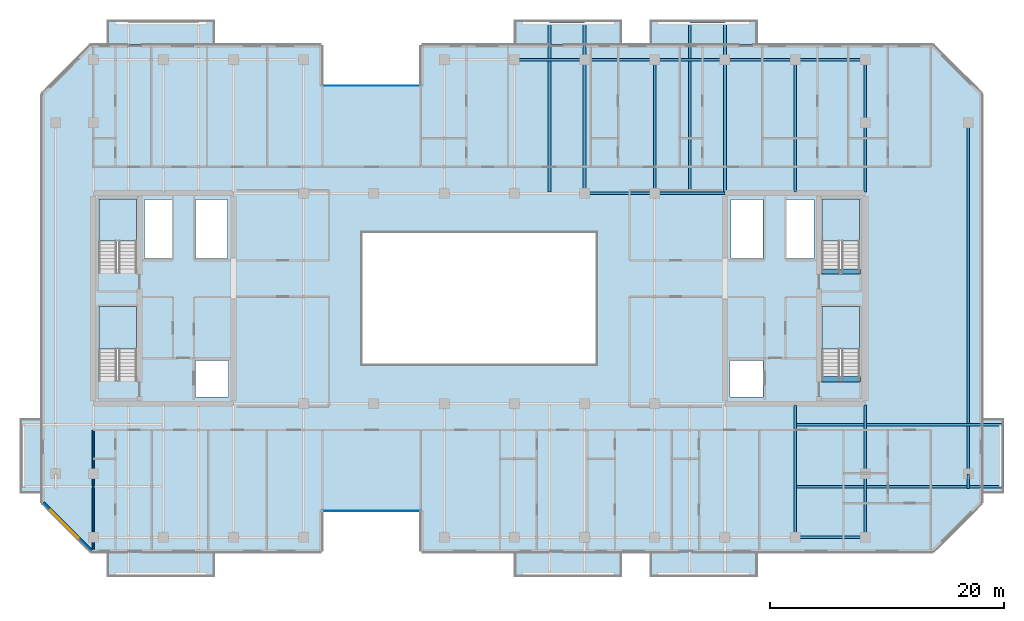
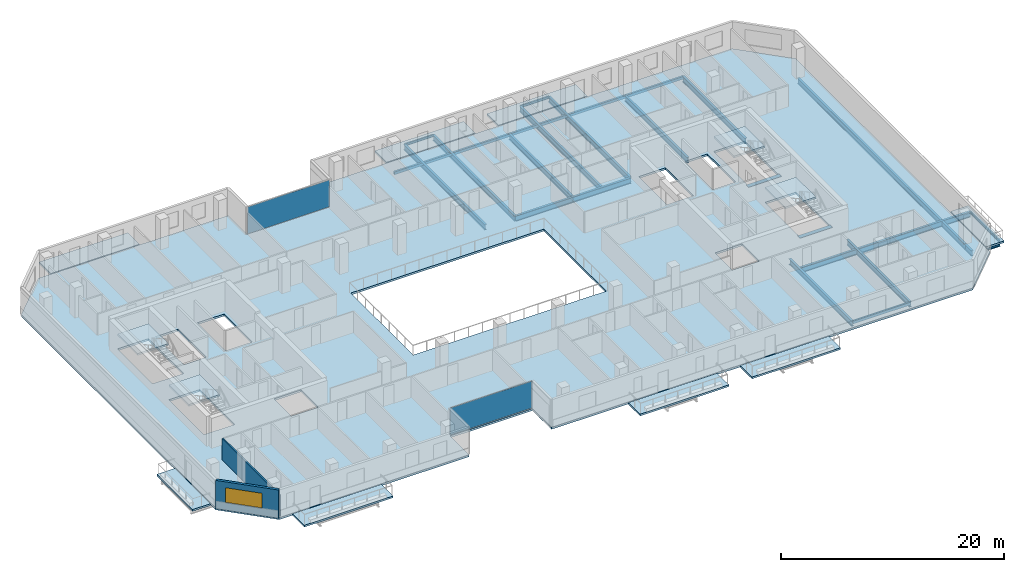
# One storey, part 8 of 19: 26 beams, 13 slabs, 2 plates, 2 walls, 1 window, 1 opening, 6 elements without a shape of their own.
"""IFC4 building model written with IfcOpenShell, lengths in metres."""

from ifc_helpers import new_model, si_unit, direction, frame, frame_2d, origin, origin_2d, place, context, subcontext, project, spatial, polyline, rectangle, hollow_rectangle, i_section, outline, extrude, material, layer, layer_set, material_profile, profile_set, type_object, element, fill, aggregate, save


model = new_model("IFC4")

# Units and contexts
model_context = context("Model", 3, precision=1e-05, world=origin(), true_north=direction((0.0, 1.0)))
body_context = subcontext(model_context, "Body", "Model", "MODEL_VIEW")
ifc_project = project(units=[si_unit("LENGTHUNIT", "METRE"), si_unit("AREAUNIT", "SQUARE_METRE"), si_unit("VOLUMEUNIT", "CUBIC_METRE"), si_unit("PLANEANGLEUNIT", "RADIAN"), si_unit("MASSUNIT", "GRAM", prefix="KILO")], contexts=[model_context])

# Site, building, storey
site_placement = place(None, origin())
site = spatial("IfcSite", under=ifc_project, at=site_placement, CompositionType="ELEMENT")
building_placement = place(site_placement, origin())
building = spatial("IfcBuilding", under=site, at=building_placement, Name="Tanjung Sevakor Pilgrim Tower", CompositionType="ELEMENT")
storey_placement = place(building_placement, frame((0.0, 0.0, 132.0)))
storey = spatial("IfcBuildingStorey", under=building, at=storey_placement, Name="L36", CompositionType="ELEMENT", Elevation=132.0)

# Beams
ifc_material_1 = material(Name="Steel S355J2", Category="steel")
ifc_material_profile_1 = material_profile(ifc_material_1, i_section(OverallWidth=0.230224609375, OverallDepth=0.6171875, WebThickness=0.01318359375, FlangeThickness=0.022216796875, FilletRadius=0.0126953125, at=origin_2d()))
ifc_profile_set_1 = profile_set([ifc_material_profile_1], Name="Steel S355J2")
beam_type_1 = type_object("IfcBeamType", Name="BM-B-G3-UB_610x229x140", PredefinedType="BEAM", material=ifc_profile_set_1)
for number, where, z_axis, x_axis, name in (
    (1, (66.0, 42.60009765625, -0.528564453125), (1.0, 0.0, 0.0), (0.0, 1.0, 0.0), "L36 Primary Floor Girder MAIN Y426-06"),
    (2, (72.0, 42.60009765625, -0.528564453125), (1.0, 0.0, 0.0), (0.0, 1.0, 0.0), "L36 Primary Floor Girder MAIN Y426-07"),
):
    element("IfcBeam", number, at=place(storey_placement, frame(where, z_axis=z_axis, x_axis=x_axis)), inside=storey, type_object=beam_type_1, Name=name, PredefinedType="BEAM", context=body_context, shape_type="SweptSolid", body=[
        extrude(i_section(OverallWidth=0.230224609375, OverallDepth=0.6171875, WebThickness=0.01318359375, FlangeThickness=0.022216796875, FilletRadius=0.0126953125, at=origin_2d()), origin(), (0.0, 0.0, 1.0), 6.0),
    ])
ifc_material_2 = material(Name="Steel S355J2", Category="steel")
ifc_material_profile_2 = material_profile(ifc_material_2, i_section(OverallWidth=0.22900390625, OverallDepth=0.6123046875, WebThickness=0.011962890625, FlangeThickness=0.01953125, FilletRadius=0.0126953125, at=origin_2d()))
ifc_profile_set_2 = profile_set([ifc_material_profile_2], Name="Steel S355J2")
beam_type_2 = type_object("IfcBeamType", Name="BM-B-G4-UB_610x229x125", PredefinedType="BEAM", material=ifc_profile_set_2)
beam_1_placement = place(storey_placement, frame((98.800048828125, 18.60009765625, -0.526123046875), z_axis=(0.0, 1.0, 0.0), x_axis=(-1.0, 0.0, 0.0)))
element("IfcBeam", 3, at=beam_1_placement, inside=storey, type_object=beam_type_2, Name="L36 Short-End Edge Girder E", PredefinedType="BEAM", context=body_context, shape_type="SweptSolid", body=[
    extrude(i_section(OverallWidth=0.22900390625, OverallDepth=0.6123046875, WebThickness=0.011962890625, FlangeThickness=0.01953125, FilletRadius=0.0126953125, at=origin_2d()), origin(), (0.0, 0.0, 1.0), 30.0),
])
beam_2_placement = place(storey_placement, frame((98.800048828125, 18.60009765625, -0.526123046875), z_axis=(0.0, -1.0, 0.0), x_axis=(1.0, 0.0, 0.0)))
element("IfcBeam", 4, at=beam_2_placement, inside=storey, type_object=beam_type_2, Name="L36 Short-End Edge Extension S-E", PredefinedType="BEAM", context=body_context, shape_type="SweptSolid", body=[
    extrude(i_section(OverallWidth=0.22900390625, OverallDepth=0.6123046875, WebThickness=0.011962890625, FlangeThickness=0.01953125, FilletRadius=0.0126953125, at=origin_2d()), origin(), (0.0, 0.0, 1.0), 1.25),
])
for number, where, z_axis, x_axis, name in (
    (5, (84.0, 17.5, -0.526123046875), (1.0, 0.0, 0.0), (0.0, 1.0, 0.0), "L36 Balcony Overhanging Beam MAIN-E1-1"),
    (6, (84.0, 22.800048828125, -0.526123046875), (1.0, 0.0, 0.0), (0.0, 1.0, 0.0), "L36 Balcony Overhanging Beam MAIN-E1-2"),
):
    element("IfcBeam", number, at=place(storey_placement, frame(where, z_axis=z_axis, x_axis=x_axis)), inside=storey, type_object=beam_type_2, Name=name, PredefinedType="BEAM", context=body_context, shape_type="SweptSolid", body=[
        extrude(i_section(OverallWidth=0.22900390625, OverallDepth=0.6123046875, WebThickness=0.011962890625, FlangeThickness=0.01953125, FilletRadius=0.0126953125, at=origin_2d()), origin(), (0.0, 0.0, 1.0), 17.72998046875),
    ])
beam_3_placement = place(storey_placement, frame((63.0, 42.715087890625, -0.526123046875), z_axis=(0.0, 1.0, 0.0), x_axis=(-1.0, 0.0, 0.0)))
element("IfcBeam", 7, at=beam_3_placement, inside=storey, type_object=beam_type_2, Name="L36 Balcony Cantilever Beam MAIN-N2-1", PredefinedType="BEAM", context=body_context, shape_type="SweptSolid", body=[
    extrude(i_section(OverallWidth=0.22900390625, OverallDepth=0.6123046875, WebThickness=0.011962890625, FlangeThickness=0.01953125, FilletRadius=0.0126953125, at=origin_2d()), origin(), (0.0, 0.0, 1.0), 14.56494140625),
])
beam_4_placement = place(storey_placement, frame((66.0, 42.60009765625, -0.526123046875), z_axis=(0.0, 1.0, 0.0), x_axis=(-1.0, 0.0, 0.0)))
element("IfcBeam", 8, at=beam_4_placement, inside=storey, type_object=beam_type_2, Name="L36 Balcony Cantilever Beam MAIN-N2-2", PredefinedType="BEAM", context=body_context, shape_type="SweptSolid", body=[
    extrude(i_section(OverallWidth=0.22900390625, OverallDepth=0.6123046875, WebThickness=0.011962890625, FlangeThickness=0.01953125, FilletRadius=0.0126953125, at=origin_2d()), origin(), (0.0, 0.0, 1.0), 14.679931640625),
])
beam_5_placement = place(storey_placement, frame((72.0, 42.60009765625, -0.526123046875), z_axis=(0.0, 1.0, 0.0), x_axis=(-1.0, 0.0, 0.0)))
element("IfcBeam", 9, at=beam_5_placement, inside=storey, type_object=beam_type_2, Name="L36 MAIN Girder 016", PredefinedType="BEAM", context=body_context, shape_type="SweptSolid", body=[
    extrude(i_section(OverallWidth=0.22900390625, OverallDepth=0.6123046875, WebThickness=0.011962890625, FlangeThickness=0.01953125, FilletRadius=0.0126953125, at=origin_2d()), origin(), (0.0, 0.0, 1.0), 11.39990234375),
])
for number, where, z_axis, x_axis, name in (
    (10, (75.0, 42.715087890625, -0.526123046875), (0.0, 1.0, 0.0), (-1.0, 0.0, 0.0), "L36 Balcony Cantilever Beam MAIN-N3-1"),
    (11, (78.0, 42.715087890625, -0.526123046875), (0.0, 1.0, 0.0), (-1.0, 0.0, 0.0), "L36 Balcony Cantilever Beam MAIN-N3-2"),
):
    element("IfcBeam", number, at=place(storey_placement, frame(where, z_axis=z_axis, x_axis=x_axis)), inside=storey, type_object=beam_type_2, Name=name, PredefinedType="BEAM", context=body_context, shape_type="SweptSolid", body=[
        extrude(i_section(OverallWidth=0.22900390625, OverallDepth=0.6123046875, WebThickness=0.011962890625, FlangeThickness=0.01953125, FilletRadius=0.0126953125, at=origin_2d()), origin(), (0.0, 0.0, 1.0), 14.56494140625),
    ])
for number, where, z_axis, x_axis, name in (
    (12, (84.0, 13.199951171875, -0.526123046875), (0.0, 1.0, 0.0), (-1.0, 0.0, 0.0), "L36 MAIN Girder 017"),
    (13, (84.0, 42.715087890625, -0.526123046875), (0.0, 1.0, 0.0), (-1.0, 0.0, 0.0), "L36 MAIN Girder 018"),
    (14, (90.0, 13.199951171875, -0.526123046875), (0.0, 1.0, 0.0), (-1.0, 0.0, 0.0), "L36 MAIN Girder 019"),
    (15, (90.0, 42.715087890625, -0.526123046875), (0.0, 1.0, 0.0), (-1.0, 0.0, 0.0), "L36 MAIN Girder 020"),
):
    element("IfcBeam", number, at=place(storey_placement, frame(where, z_axis=z_axis, x_axis=x_axis)), inside=storey, type_object=beam_type_2, Name=name, PredefinedType="BEAM", context=body_context, shape_type="SweptSolid", body=[
        extrude(i_section(OverallWidth=0.22900390625, OverallDepth=0.6123046875, WebThickness=0.011962890625, FlangeThickness=0.01953125, FilletRadius=0.0126953125, at=origin_2d()), origin(), (0.0, 0.0, 1.0), 11.284912109375),
    ])
ifc_material_3 = material(Name="Steel S355J2", Category="steel")
ifc_material_profile_3 = material_profile(ifc_material_3, i_section(OverallWidth=0.146484375, OverallDepth=0.256103515625, WebThickness=0.00634765625, FlangeThickness=0.010986328125, FilletRadius=0.007568359375, at=origin_2d()))
ifc_profile_set_3 = profile_set([ifc_material_profile_3], Name="Steel S355J2")
beam_type_3 = type_object("IfcBeamType", Name="BM-B-J6-UB_254x146x37", PredefinedType="JOIST", material=ifc_profile_set_3)
for number, where, z_axis, x_axis, name in (
    (16, (63.0, 57.280029296875, -0.327880859375), (1.0, 0.0, 0.0), (0.0, 1.0, 0.0), "L36 Balcony Rim Tie MAIN-N2"),
    (17, (75.0, 57.280029296875, -0.327880859375), (1.0, 0.0, 0.0), (0.0, 1.0, 0.0), "L36 Balcony Rim Tie MAIN-N3"),
):
    element("IfcBeam", number, at=place(storey_placement, frame(where, z_axis=z_axis, x_axis=x_axis)), inside=storey, type_object=beam_type_3, Name=name, PredefinedType="JOIST", context=body_context, shape_type="SweptSolid", body=[
        extrude(i_section(OverallWidth=0.146484375, OverallDepth=0.256103515625, WebThickness=0.00634765625, FlangeThickness=0.010986328125, FilletRadius=0.007568359375, at=origin_2d()), origin(), (0.0, 0.0, 1.0), 3.0),
    ])
beam_6_placement = place(storey_placement, frame((101.72998046875, 17.5, -0.327880859375), z_axis=(0.0, 1.0, 0.0), x_axis=(-1.0, 0.0, 0.0)))
element("IfcBeam", 18, at=beam_6_placement, inside=storey, type_object=beam_type_3, Name="L36 Balcony Rim Tie MAIN-E1", PredefinedType="JOIST", context=body_context, shape_type="SweptSolid", body=[
    extrude(i_section(OverallWidth=0.146484375, OverallDepth=0.256103515625, WebThickness=0.00634765625, FlangeThickness=0.010986328125, FilletRadius=0.007568359375, at=origin_2d()), origin(), (0.0, 0.0, 1.0), 5.300048828125),
])
ifc_material_4 = material(Name="Concrete C60/75", Category="concrete")
ifc_material_profile_4 = material_profile(ifc_material_4, rectangle(XDim=0.449951171875, YDim=0.699951171875, at=origin_2d()))
ifc_profile_set_4 = profile_set([ifc_material_profile_4], Name="Concrete C60/75")
beam_type_4 = type_object("IfcBeamType", Name="BM-B-LN3-RC-BM_450x700", PredefinedType="LINTEL", material=ifc_profile_set_4)
for number, where, z_axis, x_axis, name in (
    (19, (86.199951171875, 26.699951171875, -0.35009765625), (1.0, 0.0, 0.0), (0.0, 1.0, 0.0), "L36 TS-E1 Stair Threshold Beam"),
    (20, (86.199951171875, 35.89990234375, -0.35009765625), (1.0, 0.0, 0.0), (0.0, 1.0, 0.0), "L36 TS-E2 Stair Threshold Beam"),
):
    element("IfcBeam", number, at=place(storey_placement, frame(where, z_axis=z_axis, x_axis=x_axis)), inside=storey, type_object=beam_type_4, Name=name, PredefinedType="LINTEL", context=body_context, shape_type="SweptSolid", body=[
        extrude(rectangle(XDim=0.449951171875, YDim=0.699951171875, at=origin_2d()), origin(), (0.0, 0.0, 1.0), 3.400146484375),
    ])
ifc_material_5 = material(Name="Steel S355J2", Category="steel")
ifc_material_profile_5 = material_profile(ifc_material_5, hollow_rectangle(XDim=0.199951171875, YDim=0.300048828125, WallThickness=0.012451171875, at=origin_2d()))
ifc_profile_set_5 = profile_set([ifc_material_profile_5], Name="Steel S355J2")
beam_type_5 = type_object("IfcBeamType", Name="BM-B-SP3-RHS_300x200x12.5", PredefinedType="SPANDREL", material=ifc_profile_set_5)
for number, where, z_axis, x_axis, name in (
    (21, (60.0, 54.0, -0.3701171875), (1.0, 0.0, 0.0), (0.0, 1.0, 0.0), "L36 Spandrel MAIN N-10"),
    (22, (66.0, 54.0, -0.3701171875), (1.0, 0.0, 0.0), (0.0, 1.0, 0.0), "L36 Spandrel MAIN N-12"),
    (23, (72.0, 54.0, -0.3701171875), (1.0, 0.0, 0.0), (0.0, 1.0, 0.0), "L36 Spandrel MAIN N-14"),
    (24, (78.0, 54.0, -0.3701171875), (1.0, 0.0, 0.0), (0.0, 1.0, 0.0), "L36 Spandrel MAIN N-16"),
    (25, (84.0, 13.199951171875, -0.3701171875), (1.0, 0.0, 0.0), (0.0, 1.0, 0.0), "L36 Spandrel MAIN S-17"),
    (26, (84.0, 54.0, -0.3701171875), (1.0, 0.0, 0.0), (0.0, 1.0, 0.0), "L36 Spandrel MAIN N-18"),
):
    element("IfcBeam", number, at=place(storey_placement, frame(where, z_axis=z_axis, x_axis=x_axis)), inside=storey, type_object=beam_type_5, Name=name, PredefinedType="SPANDREL", context=body_context, shape_type="SweptSolid", body=[
        extrude(hollow_rectangle(XDim=0.199951171875, YDim=0.300048828125, WallThickness=0.012451171875, at=origin_2d()), origin(), (0.0, 0.0, 1.0), 6.0),
    ])

# Slabs
ifc_material_6 = material(Name="Concrete C40/50", Category="concrete")
ifc_layer_1 = layer(ifc_material_6, 0.199951171875)
ifc_layer_set_1 = layer_set([ifc_layer_1], Name="SL-BAL-200")
slab_type_1 = type_object("IfcSlabType", Name="SL-BAL-200", PredefinedType="FLOOR", material=ifc_layer_set_1)
slab_1_placement = place(storey_placement, frame((0.0, 0.0, -0.199951171875)))
element("IfcSlab", 27, at=slab_1_placement, inside=storey, type_object=slab_type_1, Name="L36 Planted Loggia Balcony MAIN-S1", PredefinedType="FLOOR", context=body_context, shape_type="SweptSolid", body=[
    extrude(outline(polyline([(25.199951171875, 9.800048828125), (34.39990234375, 9.800048828125), (34.39990234375, 11.89990234375), (25.199951171875, 11.89990234375), (25.199951171875, 9.800048828125)])), origin(), (0.0, 0.0, 1.0), 0.199951171875),
])
slab_2_placement = place(storey_placement, frame((0.0, 0.0, -0.199951171875)))
element("IfcSlab", 28, at=slab_2_placement, inside=storey, type_object=slab_type_1, Name="L36 Planted Loggia Balcony MAIN-N1", PredefinedType="FLOOR", context=body_context, shape_type="SweptSolid", body=[
    extrude(outline(polyline([(25.199951171875, 55.300048828125), (34.39990234375, 55.300048828125), (34.39990234375, 57.39990234375), (25.199951171875, 57.39990234375), (25.199951171875, 55.300048828125)])), origin(), (0.0, 0.0, 1.0), 0.199951171875),
])
slab_3_placement = place(storey_placement, frame((0.0, 0.0, -0.199951171875)))
element("IfcSlab", 29, at=slab_3_placement, inside=storey, type_object=slab_type_1, Name="L36 Planted Loggia Balcony MAIN-S2", PredefinedType="FLOOR", context=body_context, shape_type="SweptSolid", body=[
    extrude(outline(polyline([(60.0, 9.800048828125), (69.199951171875, 9.800048828125), (69.199951171875, 11.89990234375), (60.0, 11.89990234375), (60.0, 9.800048828125)])), origin(), (0.0, 0.0, 1.0), 0.199951171875),
])
slab_4_placement = place(storey_placement, frame((0.0, 0.0, -0.199951171875)))
element("IfcSlab", 30, at=slab_4_placement, inside=storey, type_object=slab_type_1, Name="L36 Planted Loggia Balcony MAIN-N2", PredefinedType="FLOOR", context=body_context, shape_type="SweptSolid", body=[
    extrude(outline(polyline([(60.0, 55.300048828125), (69.199951171875, 55.300048828125), (69.199951171875, 57.39990234375), (60.0, 57.39990234375), (60.0, 55.300048828125)])), origin(), (0.0, 0.0, 1.0), 0.199951171875),
])
slab_5_placement = place(storey_placement, frame((0.0, 0.0, -0.199951171875)))
element("IfcSlab", 31, at=slab_5_placement, inside=storey, type_object=slab_type_1, Name="L36 Planted Loggia Balcony MAIN-S3", PredefinedType="FLOOR", context=body_context, shape_type="SweptSolid", body=[
    extrude(outline(polyline([(71.60009765625, 9.800048828125), (80.800048828125, 9.800048828125), (80.800048828125, 11.89990234375), (71.60009765625, 11.89990234375), (71.60009765625, 9.800048828125)])), origin(), (0.0, 0.0, 1.0), 0.199951171875),
])
slab_6_placement = place(storey_placement, frame((0.0, 0.0, -0.199951171875)))
element("IfcSlab", 32, at=slab_6_placement, inside=storey, type_object=slab_type_1, Name="L36 Planted Loggia Balcony MAIN-N3", PredefinedType="FLOOR", context=body_context, shape_type="SweptSolid", body=[
    extrude(outline(polyline([(71.60009765625, 55.300048828125), (80.800048828125, 55.300048828125), (80.800048828125, 57.39990234375), (71.60009765625, 57.39990234375), (71.60009765625, 55.300048828125)])), origin(), (0.0, 0.0, 1.0), 0.199951171875),
])
slab_7_placement = place(storey_placement, frame((0.0, 0.0, -0.199951171875)))
element("IfcSlab", 33, at=slab_7_placement, inside=storey, type_object=slab_type_1, Name="L36 Planted Loggia Balcony MAIN-W1", PredefinedType="FLOOR", context=body_context, shape_type="SweptSolid", body=[
    extrude(outline(polyline([(17.75, 16.949951171875), (19.60009765625, 16.949951171875), (19.60009765625, 23.35009765625), (17.75, 23.35009765625), (17.75, 16.949951171875)])), origin(), (0.0, 0.0, 1.0), 0.199951171875),
])
slab_8_placement = place(storey_placement, frame((0.0, 0.0, -0.199951171875)))
element("IfcSlab", 34, at=slab_8_placement, inside=storey, type_object=slab_type_1, Name="L36 Planted Loggia Balcony MAIN-E1", PredefinedType="FLOOR", context=body_context, shape_type="SweptSolid", body=[
    extrude(outline(polyline([(100.0, 16.949951171875), (101.85009765625, 16.949951171875), (101.85009765625, 23.35009765625), (100.0, 23.35009765625), (100.0, 16.949951171875)])), origin(), (0.0, 0.0, 1.0), 0.199951171875),
])

# Stair, slab
ifc_material_7 = material(Name="Concrete C40/50", Category="concrete")
stair_type = type_object("IfcStairType", Name="STAIR-ST-CR150", PredefinedType="HALF_TURN_STAIR", material=ifc_material_7)
stair_1_placement = place(storey_placement, origin())
stair_1 = element("IfcStair", 35, at=stair_1_placement, inside=storey, type_object=stair_type, Name="L36 West Core Exit Stair 1", PredefinedType="HALF_TURN_STAIR")
ifc_material_8 = material(Name="Concrete C40/50", Category="concrete")
ifc_layer_2 = layer(ifc_material_8, 0.199951171875)
ifc_layer_set_2 = layer_set([ifc_layer_2], Name="SL-LAND-200")
slab_type_2 = type_object("IfcSlabType", Name="SL-LAND-200", PredefinedType="LANDING", material=ifc_layer_set_2)
slab_9_placement = place(storey_placement, frame((0.0, 0.0, 1.449951171875)))
slab_9 = element("IfcSlab", 36, at=slab_9_placement, type_object=slab_type_2, Name="TS-W1 landing 1", PredefinedType="LANDING", context=body_context, shape_type="SweptSolid", body=[
    extrude(outline(polyline([(27.699951171875, 29.300048828125), (27.699951171875, 32.89990234375), (24.5, 32.89990234375), (24.5, 29.300048828125), (27.699951171875, 29.300048828125)])), origin(), (0.0, 0.0, 1.0), 0.199951171875),
])
aggregate(stair_1, [slab_9])

stair_2_placement = place(storey_placement, origin())
stair_2 = element("IfcStair", 37, at=stair_2_placement, inside=storey, type_object=stair_type, Name="L36 West Core Exit Stair 2", PredefinedType="HALF_TURN_STAIR")
slab_10_placement = place(storey_placement, frame((0.0, 0.0, 1.449951171875)))
slab_10 = element("IfcSlab", 38, at=slab_10_placement, type_object=slab_type_2, Name="TS-W2 landing 1", PredefinedType="LANDING", context=body_context, shape_type="SweptSolid", body=[
    extrude(outline(polyline([(27.699951171875, 38.5), (27.699951171875, 42.10009765625), (24.5, 42.10009765625), (24.5, 38.5), (27.699951171875, 38.5)])), origin(), (0.0, 0.0, 1.0), 0.199951171875),
])
aggregate(stair_2, [slab_10])

stair_3_placement = place(storey_placement, origin())
stair_3 = element("IfcStair", 39, at=stair_3_placement, inside=storey, type_object=stair_type, Name="L36 East Core Exit Stair 1", PredefinedType="HALF_TURN_STAIR")
slab_11_placement = place(storey_placement, frame((0.0, 0.0, 1.449951171875)))
slab_11 = element("IfcSlab", 40, at=slab_11_placement, type_object=slab_type_2, Name="TS-E1 landing 1", PredefinedType="LANDING", context=body_context, shape_type="SweptSolid", body=[
    extrude(outline(polyline([(89.5, 29.300048828125), (89.5, 32.89990234375), (86.300048828125, 32.89990234375), (86.300048828125, 29.300048828125), (89.5, 29.300048828125)])), origin(), (0.0, 0.0, 1.0), 0.199951171875),
])
aggregate(stair_3, [slab_11])

stair_4_placement = place(storey_placement, origin())
stair_4 = element("IfcStair", 41, at=stair_4_placement, inside=storey, type_object=stair_type, Name="L36 East Core Exit Stair 2", PredefinedType="HALF_TURN_STAIR")
slab_12_placement = place(storey_placement, frame((0.0, 0.0, 1.449951171875)))
slab_12 = element("IfcSlab", 42, at=slab_12_placement, type_object=slab_type_2, Name="TS-E2 landing 1", PredefinedType="LANDING", context=body_context, shape_type="SweptSolid", body=[
    extrude(outline(polyline([(89.5, 38.5), (89.5, 42.10009765625), (86.300048828125, 42.10009765625), (86.300048828125, 38.5), (89.5, 38.5)])), origin(), (0.0, 0.0, 1.0), 0.199951171875),
])
aggregate(stair_4, [slab_12])

# Slab
ifc_material_9 = material(Name="Concrete C40/50", Category="concrete")
ifc_layer_3 = layer(ifc_material_9, 0.219970703125)
ifc_layer_set_3 = layer_set([ifc_layer_3], Name="SL-TWR-220")
slab_type_3 = type_object("IfcSlabType", Name="SL-TWR-220", PredefinedType="FLOOR", material=ifc_layer_set_3)
slab_13_placement = place(storey_placement, frame((0.0, 0.0, -0.219970703125)))
element("IfcSlab", 43, at=slab_13_placement, inside=storey, type_object=slab_type_3, Name="L36 Floor Slab MAIN", PredefinedType="FLOOR", context=body_context, shape_type="SweptSolid", body=[
    extrude(outline(polyline([(23.846923828125, 11.97998046875), (43.52001953125, 11.97998046875), (43.52001953125, 15.3798828125), (52.080078125, 15.3798828125), (52.080078125, 11.97998046875), (95.753173828125, 11.97998046875), (99.919921875, 16.14697265625), (99.919921875, 51.052978515625), (95.753173828125, 55.219970703125), (52.080078125, 55.219970703125), (52.080078125, 51.820068359375), (43.52001953125, 51.820068359375), (43.52001953125, 55.219970703125), (23.846923828125, 55.219970703125), (19.679931640625, 51.052978515625), (19.679931640625, 16.14697265625), (23.846923828125, 11.97998046875)]), holes=[polyline([(27.699951171875, 26.60009765625), (27.699951171875, 32.89990234375), (24.5, 32.89990234375), (24.5, 26.60009765625), (27.699951171875, 26.60009765625)]), polyline([(27.699951171875, 35.800048828125), (27.699951171875, 42.10009765625), (24.5, 42.10009765625), (24.5, 35.800048828125), (27.699951171875, 35.800048828125)]), polyline([(89.5, 26.60009765625), (89.5, 32.89990234375), (86.300048828125, 32.89990234375), (86.300048828125, 26.60009765625), (89.5, 26.60009765625)]), polyline([(89.5, 35.800048828125), (89.5, 42.10009765625), (86.300048828125, 42.10009765625), (86.300048828125, 35.800048828125), (89.5, 35.800048828125)]), polyline([(32.75, 25.199951171875), (35.550048828125, 25.199951171875), (35.550048828125, 28.300048828125), (32.75, 28.300048828125), (32.75, 25.199951171875)]), polyline([(28.39990234375, 37.0), (30.75, 37.0), (30.75, 42.050048828125), (28.39990234375, 42.050048828125), (28.39990234375, 37.0)]), polyline([(32.75, 37.0), (35.5, 37.0), (35.5, 42.050048828125), (32.75, 42.050048828125), (32.75, 37.0)]), polyline([(78.449951171875, 25.199951171875), (81.25, 25.199951171875), (81.25, 28.300048828125), (78.449951171875, 28.300048828125), (78.449951171875, 25.199951171875)]), polyline([(83.25, 37.0), (85.60009765625, 37.0), (85.60009765625, 42.050048828125), (83.25, 42.050048828125), (83.25, 37.0)]), polyline([(78.5, 37.0), (81.25, 37.0), (81.25, 42.050048828125), (78.5, 42.050048828125), (78.5, 37.0)]), polyline([(47.0, 28.0), (67.0, 28.0), (67.0, 39.199951171875), (47.0, 39.199951171875), (47.0, 28.0)])]), origin(), (0.0, 0.0, 1.0), 0.219970703125),
])

# Curtain wall, plate
ifc_material_10 = material(Name="Aluminium 6063-T6 and Low-E Glass", Category="aluminium")
ifc_layer_4 = layer(ifc_material_10, 0.179931640625)
ifc_layer_set_4 = layer_set([ifc_layer_4], Name="CW-SYS-CLEFT")
curtain_wall_type = type_object("IfcCurtainWallType", Name="CW-SYS-CLEFT", PredefinedType="NOTDEFINED", material=ifc_layer_set_4)
curtain_wall_1_placement = place(storey_placement, origin())
curtain_wall_1 = element("IfcCurtainWall", 44, at=curtain_wall_1_placement, inside=storey, type_object=curtain_wall_type, Name="L36 Curtain Wall CW-CLF-L36-2", PredefinedType="NOTDEFINED")
ifc_material_11 = material(Name="Laminated Low-E Double Glazing", Category="glass")
ifc_layer_5 = layer(ifc_material_11, 0.028076171875)
ifc_layer_set_5 = layer_set([ifc_layer_5], Name="TYPE-CWP-GLZ1")
plate_type = type_object("IfcPlateType", Name="TYPE-CWP-GLZ1", PredefinedType="CURTAIN_PANEL", material=ifc_layer_set_5)
plate_1_placement = place(storey_placement, frame((47.800048828125, 15.425048828125, 0.06494140625), z_axis=(0.0, 0.0, 1.0), x_axis=(1.0, 0.0, 0.0)))
plate_1 = element("IfcPlate", 45, at=plate_1_placement, type_object=plate_type, Name="CW-CLF panel 1.1", PredefinedType="CURTAIN_PANEL", context=body_context, shape_type="SweptSolid", body=[
    extrude(rectangle(XDim=8.5, YDim=0.028076171875, at=origin_2d()), origin(), (0.0, 0.0, 1.0), 2.949951171875),
])
aggregate(curtain_wall_1, [plate_1])

curtain_wall_2_placement = place(storey_placement, origin())
curtain_wall_2 = element("IfcCurtainWall", 46, at=curtain_wall_2_placement, inside=storey, type_object=curtain_wall_type, Name="L36 Curtain Wall CW-CLF-L36-10", PredefinedType="NOTDEFINED")
plate_2_placement = place(storey_placement, frame((47.800048828125, 51.77490234375, 0.06494140625), z_axis=(0.0, 0.0, 1.0), x_axis=(-1.0, 0.0, 0.0)))
plate_2 = element("IfcPlate", 47, at=plate_2_placement, type_object=plate_type, Name="CW-CLF panel 1.1", PredefinedType="CURTAIN_PANEL", context=body_context, shape_type="SweptSolid", body=[
    extrude(rectangle(XDim=8.5, YDim=0.028076171875, at=origin_2d()), origin(), (0.0, 0.0, 1.0), 2.949951171875),
])
aggregate(curtain_wall_2, [plate_2])

# Wall
ifc_material_12 = material(Name="Concrete C40/50", Category="concrete")
ifc_layer_6 = layer(ifc_material_12, 0.14990234375)
ifc_layer_set_6 = layer_set([ifc_layer_6], Name="WT-COMP-150")
wall_type_1 = type_object("IfcWallType", Name="WT-COMP-150", PredefinedType="SOLIDWALL", material=ifc_layer_set_6)
wall_1_placement = place(storey_placement, frame((24.0, 12.14990234375, 0.0), z_axis=(0.0, 0.0, 1.0), x_axis=(0.0, 1.0, 0.0)))
element("IfcWall", 48, at=wall_1_placement, inside=storey, type_object=wall_type_1, Name="L36 Partition IW-L36-039", PredefinedType="SOLIDWALL", context=body_context, shape_type="SweptSolid", body=[
    extrude(rectangle(XDim=10.2001953125, YDim=0.14990234375, at=frame_2d((5.10009765625, 0.0))), origin(), (0.0, 0.0, 1.0), 2.35009765625),
])

# Wall, opening, window
ifc_material_13 = material(Name="Precast concrete C45/55", Category="concrete")
ifc_layer_7 = layer(ifc_material_13, 0.25)
ifc_layer_set_7 = layer_set([ifc_layer_7], Name="WT-EW-STN3")
wall_type_2 = type_object("IfcWallType", Name="WT-EW-STN3", PredefinedType="SOLIDWALL", material=ifc_layer_set_7)
wall_2_placement = place(storey_placement, frame((19.72509765625, 16.15185546875, 0.0), z_axis=(0.0, 0.0, 1.0), x_axis=(0.70708586489, -0.707127696864, 0.0)))
wall_2 = element("IfcWall", 49, at=wall_2_placement, inside=storey, type_object=wall_type_2, Name="L36 MAIN Sculpted Corner Wall 15", PredefinedType="SOLIDWALL", context=body_context, shape_type="SweptSolid", body=[
    extrude(rectangle(XDim=5.836181640625, YDim=0.25, at=frame_2d((2.91796875, 0.0))), origin(), (0.0, 0.0, 1.0), 3.080078125),
])
opening_placement = place(wall_2_placement, frame((0.898193359375, 0.0, 0.780029296875)))
opening = element("IfcOpeningElement", 50, at=opening_placement, cuts=wall_2, Name="Opening WN-CHM-1660", PredefinedType="OPENING", context=body_context, shape_type="SweptSolid", body=[
    extrude(rectangle(XDim=3.39990234375, YDim=1.659912109375, at=frame_2d((1.699951171875, 0.830078125))), frame((0.0, 0.135009765625, 0.0), z_axis=(0.0, -1.0, 0.0), x_axis=(1.0, 0.0, 0.0)), (0.0, 0.0, 1.0), 0.27001953125),
])
ifc_material_14 = material(Name="Thermally Broken Aluminium and Low-E Glass", Category="aluminium")
window_type = type_object("IfcWindowType", Name="WTYP-WN-CHM-1660", PartitioningType="DOUBLE_PANEL_VERTICAL", PredefinedType="WINDOW", material=ifc_material_14)
window_placement = place(opening_placement, origin())
window = element("IfcWindow", 51, at=window_placement, inside=storey, type_object=window_type, Name="L36 Facade Window 01", OverallHeight=1.659912109375, OverallWidth=3.39990234375, PartitioningType="SINGLE_PANEL", PredefinedType="WINDOW", context=body_context, shape_type="SweptSolid", body=[
    extrude(rectangle(XDim=3.39990234375, YDim=1.659912109375, at=frame_2d((1.699951171875, 0.830078125))), frame((0.0, 0.030029296875, 0.0), z_axis=(0.0, -1.0, 0.0), x_axis=(1.0, 0.0, 0.0)), (0.0, 0.0, 1.0), 0.06005859375),
])
fill(opening, window)

save(model, "model.ifc")
